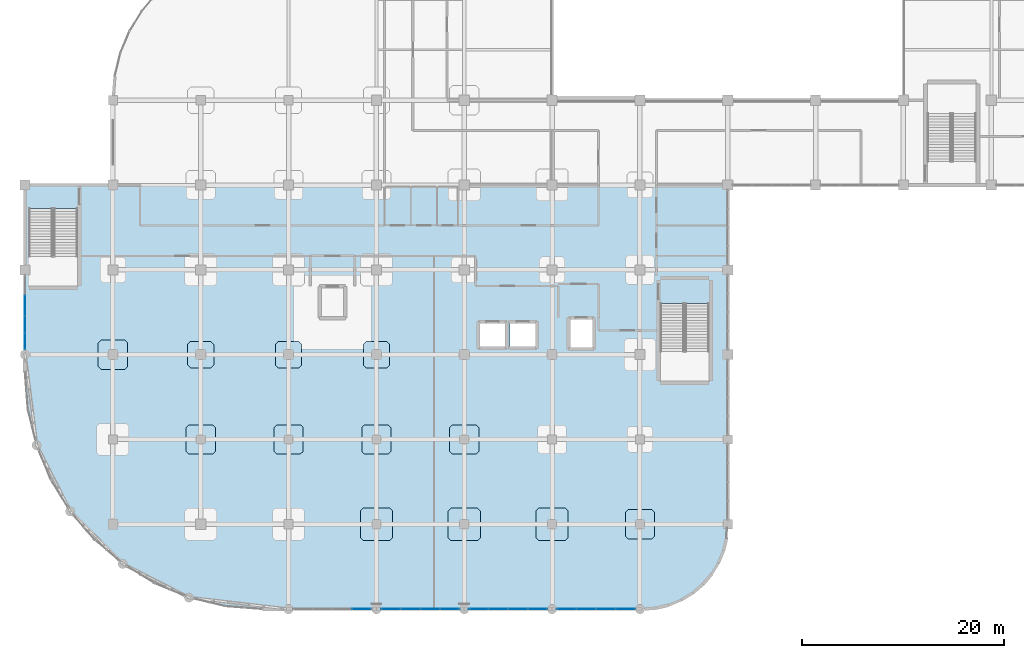
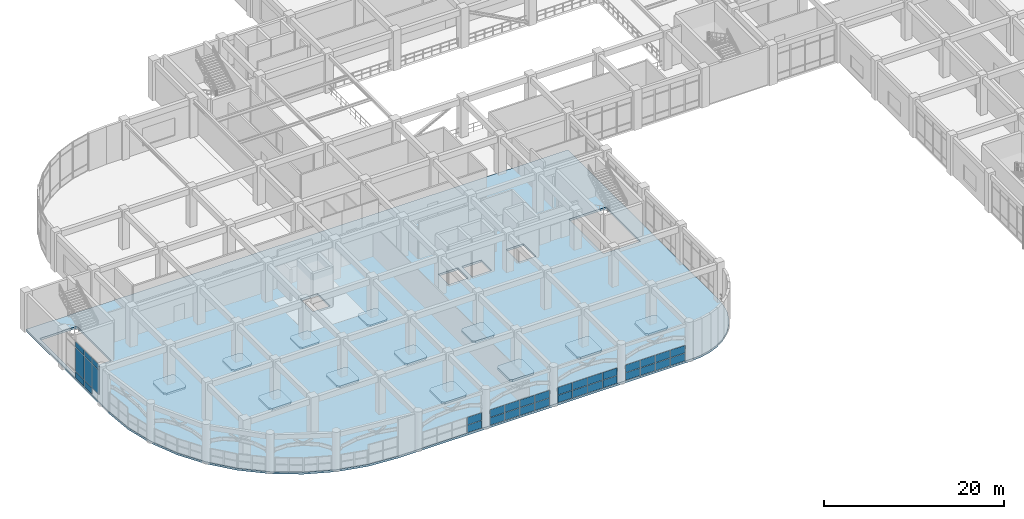
# One storey, part 80 of 114: 37 plates, 13 slabs, 6 elements without a shape of their own.
"""IFC4 building model written with IfcOpenShell, lengths in metres."""

import ifcopenshell
import ifcopenshell.guid

model = None  # the IFC model being written
_history = None  # IfcOwnerHistory: only IFC2X3 demands one
_inside = {}  # id of a spatial element -> (the spatial element, [elements in it])
_under = {}  # id of a project, library or spatial element -> (it, [spatial elements below it])
_declared = {}  # id of a project -> (the project, [libraries it declares])
_typed = {}  # id of a type object -> (the type object, [elements of that type])
_made_of = {}  # id of a material, layer set ... -> (it, [elements and type objects made of it])


def new_model(schema):
    """Start an empty IFC model of exactly this schema.

    Asked for "IFC4X3", IfcOpenShell would pick the latest addendum, in which some entities
    have other attributes; the version numbers below select the first issue.
    IFC2X3 requires an IfcOwnerHistory on every rooted entity: one is made here for all.
    """
    global model, _history
    if schema == "IFC4X3":
        model = ifcopenshell.file(schema_version=(4, 3, 0, 0))
    else:
        model = ifcopenshell.file(schema=schema)
    _inside.clear()
    _under.clear()
    _declared.clear()
    _typed.clear()
    _made_of.clear()
    _history = None
    if model.schema == "IFC2X3":
        org = make("IfcOrganization", Name="unknown")
        user = make(
            "IfcPersonAndOrganization",
            ThePerson=make("IfcPerson", FamilyName="unknown"),
            TheOrganization=org,
        )
        app = make(
            "IfcApplication",
            ApplicationDeveloper=org,
            Version="unknown",
            ApplicationFullName="unknown",
            ApplicationIdentifier="unknown",
        )
        _history = make(
            "IfcOwnerHistory",
            OwningUser=user,
            OwningApplication=app,
            ChangeAction="ADDED",
            CreationDate=0,
        )
    return model


def make(cls, **values):
    """One entity of the class cls with the attributes given. An attribute that is None is left unset."""
    return model.create_entity(
        cls, **{name: value for name, value in values.items() if value is not None}
    )


def rooted(cls, **values):
    """An entity with a GlobalId (a new one), such as an element, a storey or a relation."""
    return make(cls, GlobalId=ifcopenshell.guid.new(), OwnerHistory=_history, **values)


def si_unit(unit_type, name, prefix=None):
    """IfcSIUnit, for example si_unit("LENGTHUNIT", "METRE", prefix="MILLI")."""
    return make("IfcSIUnit", UnitType=unit_type, Prefix=prefix, Name=name)


def derived_unit(unit_type, elements):
    """IfcDerivedUnit: a product of units, each with its exponent."""
    return make(
        "IfcDerivedUnit",
        Elements=[
            make("IfcDerivedUnitElement", Unit=unit, Exponent=power)
            for unit, power in elements
        ],
        UnitType=unit_type,
    )


def assignment(units):
    """IfcUnitAssignment: the units of a project."""
    return None if units is None else make("IfcUnitAssignment", Units=units)


def point(xyz):
    """IfcCartesianPoint."""
    return None if xyz is None else make("IfcCartesianPoint", Coordinates=xyz)


def direction(xyz):
    """IfcDirection."""
    return None if xyz is None else make("IfcDirection", DirectionRatios=xyz)


def frame(location, z_axis=None, x_axis=None):
    """IfcAxis2Placement3D, a coordinate frame: its origin and axes. An axis left out is left unset."""
    return make(
        "IfcAxis2Placement3D",
        Location=point(location),
        Axis=direction(z_axis),
        RefDirection=direction(x_axis),
    )


def frame_2d(location, x_axis=None):
    """IfcAxis2Placement2D, a coordinate frame in the plane: its origin and x axis."""
    return make(
        "IfcAxis2Placement2D", Location=point(location), RefDirection=direction(x_axis)
    )


def origin():
    """The frame at (0, 0, 0) with its axes left unset."""
    return frame((0.0, 0.0, 0.0))


def origin_2d():
    """The frame at (0, 0) in the plane with its x axis left unset."""
    return frame_2d((0.0, 0.0))


def place(relative_to, where):
    """IfcLocalPlacement: puts the frame where relative to a parent placement (None: the world)."""
    return make(
        "IfcLocalPlacement", PlacementRelTo=relative_to, RelativePlacement=where
    )


def context(
    kind, dimensions, precision=None, world=None, true_north=None, identifier=None
):
    """IfcGeometricRepresentationContext, for example the 3D "Model" context."""
    return make(
        "IfcGeometricRepresentationContext",
        ContextIdentifier=identifier,
        ContextType=kind,
        CoordinateSpaceDimension=dimensions,
        Precision=precision,
        WorldCoordinateSystem=world,
        TrueNorth=true_north,
    )


def subcontext(parent, identifier, kind, view, scale=None):
    """IfcGeometricRepresentationSubContext, for example "Body" below "Model"."""
    return make(
        "IfcGeometricRepresentationSubContext",
        ContextIdentifier=identifier,
        ContextType=kind,
        ParentContext=parent,
        TargetScale=scale,
        TargetView=view,
    )


def project(units=None, contexts=None):
    """IfcProject with its units and contexts."""
    return rooted(
        "IfcProject",
        Name="project",
        RepresentationContexts=contexts,
        UnitsInContext=assignment(units),
    )


def spatial(cls, under=None, at=None, **own):
    """A site, building, storey or space (cls), placed at a placement, below another one or the project."""
    s = rooted(cls, ObjectPlacement=at, **own)
    if under is not None:
        _under.setdefault(under.id(), (under, []))[1].append(s)
    return s


def polyline(points):
    """IfcPolyline through the points."""
    return make("IfcPolyline", Points=[point(p) for p in points])


def profile(cls, at=None, kind="AREA", **sizes):
    """A parametric profile (cls). Its sizes go by their IFC names, for example OverallWidth=200.0."""
    return make(cls, ProfileType=kind, Position=at, **sizes)


def rectangle(**sizes):
    """IfcRectangleProfileDef."""
    return profile("IfcRectangleProfileDef", **sizes)


def outline(outer, holes=None, kind="AREA"):
    """IfcArbitraryClosedProfileDef: a profile drawn as a closed curve; with holes, ...WithVoids."""
    if holes is None:
        return make("IfcArbitraryClosedProfileDef", ProfileType=kind, OuterCurve=outer)
    return make(
        "IfcArbitraryProfileDefWithVoids",
        ProfileType=kind,
        OuterCurve=outer,
        InnerCurves=holes,
    )


def extrude(swept, where, along, depth):
    """IfcExtrudedAreaSolid: the profile swept, set in the frame where, extruded along a direction by depth."""
    return make(
        "IfcExtrudedAreaSolid",
        SweptArea=swept,
        Position=where,
        ExtrudedDirection=direction(along),
        Depth=depth,
    )


def shape(context_of_items, identifier, shape_type, items):
    """IfcShapeRepresentation: the items that make up one representation, for example the "Body"."""
    return make(
        "IfcShapeRepresentation",
        ContextOfItems=context_of_items,
        RepresentationIdentifier=identifier,
        RepresentationType=shape_type,
        Items=items,
    )


def material(Name=None, Category=None):
    """IfcMaterial."""
    return make("IfcMaterial", Name=Name, Category=Category)


def layer(
    of_material, thickness, ventilated=None, Name=None, Category=None, Priority=None
):
    """IfcMaterialLayer: one layer of a wall or slab, of a material (None: an air gap)."""
    return make(
        "IfcMaterialLayer",
        Material=of_material,
        LayerThickness=thickness,
        IsVentilated=ventilated,
        Name=Name,
        Category=Category,
        Priority=Priority,
    )


def layer_set(layers, Name=None):
    """IfcMaterialLayerSet."""
    return make("IfcMaterialLayerSet", MaterialLayers=layers, LayerSetName=Name)


def made_of(thing, what):
    """Note that an element or type object is made of a material, layer set ...; save() writes the relation."""
    if what is not None:
        _made_of.setdefault(what.id(), (what, []))[1].append(thing)
    return thing


def type_object(cls, material=None, **own):
    """A type object (cls), such as IfcWallType, which elements share."""
    return made_of(rooted(cls, **own), material)


def element(
    cls,
    number,
    at=None,
    inside=None,
    cuts=None,
    type_object=None,
    material=None,
    context=None,
    identifier="Body",
    shape_type=None,
    held_by="IfcProductDefinitionShape",
    body=None,
    shapes=None,
    **own,
):
    """One element of the class cls, such as IfcWall. Its Tag is "e" and its number.

    at: its placement. inside: the storey or other place that contains it. cuts: it is an
    opening in that element (IfcRelVoidsElement). A single representation is given by context,
    identifier, shape_type and body (its items); several are given by shapes. held_by: the class
    of the entity that holds the representations. save() writes the other relations.
    """
    e = rooted(cls, Tag="e%d" % number, ObjectPlacement=at, **own)
    if body is not None:
        shapes = [shape(context, identifier, shape_type, body)]
    if shapes is not None:
        e.Representation = make(held_by, Representations=shapes)
    if inside is not None:
        _inside.setdefault(inside.id(), (inside, []))[1].append(e)
    if cuts is not None:
        rooted(
            "IfcRelVoidsElement", RelatingBuildingElement=cuts, RelatedOpeningElement=e
        )
    if type_object is not None:
        _typed.setdefault(type_object.id(), (type_object, []))[1].append(e)
    return made_of(e, material)


def aggregate(whole, parts):
    """IfcRelAggregates: a whole, such as a stair, and the parts it consists of."""
    return rooted("IfcRelAggregates", RelatingObject=whole, RelatedObjects=parts)


def save(model, path):
    """Write the relations noted so far, then the file.

    IfcRelAggregates (storeys below a building ...), IfcRelContainedInSpatialStructure (elements
    in a storey), IfcRelDefinesByType, IfcRelAssociatesMaterial and IfcRelDeclares: one each for
    every whole, place, type object, material and project.
    """
    for whole, parts in _under.values():
        aggregate(whole, parts)
    for where, things in _inside.values():
        rooted(
            "IfcRelContainedInSpatialStructure",
            RelatedElements=things,
            RelatingStructure=where,
        )
    for kind, things in _typed.values():
        rooted("IfcRelDefinesByType", RelatedObjects=things, RelatingType=kind)
    for what, things in _made_of.values():
        rooted("IfcRelAssociatesMaterial", RelatedObjects=things, RelatingMaterial=what)
    for by, libraries in _declared.values():
        rooted("IfcRelDeclares", RelatingContext=by, RelatedDefinitions=libraries)
    model.write(path)


model = new_model("IFC4")

# Units and contexts
model_context = context("Model", 3, precision=1e-05, world=origin(), true_north=direction((0.0, 1.0)))
body_context = subcontext(model_context, "Body", "Model", "MODEL_VIEW")
ifc_project = project(units=[si_unit("LENGTHUNIT", "METRE"), si_unit("AREAUNIT", "SQUARE_METRE"), si_unit("VOLUMEUNIT", "CUBIC_METRE"), si_unit("PLANEANGLEUNIT", "RADIAN"), si_unit("MASSUNIT", "GRAM", prefix="KILO"), derived_unit("THERMALTRANSMITTANCEUNIT", [(si_unit("MASSUNIT", "GRAM", prefix="KILO"), 1), (si_unit("TIMEUNIT", "SECOND"), -3), (si_unit("THERMODYNAMICTEMPERATUREUNIT", "KELVIN"), -1)])], contexts=[model_context])

# Site, building, storey
site_placement = place(None, origin())
site = spatial("IfcSite", under=ifc_project, at=site_placement, CompositionType="ELEMENT")
building_placement = place(site_placement, origin())
building = spatial("IfcBuilding", under=site, at=building_placement, Name="Qinzheling Arcade Emporium", CompositionType="ELEMENT")
storey_placement = place(building_placement, frame((0.0, 0.0, 6.0)))
storey = spatial("IfcBuildingStorey", under=building, at=storey_placement, Name="L02", CompositionType="ELEMENT", Elevation=6.0)

# Slabs
ifc_material_1 = material(Name="Concrete C40", Category="concrete")
ifc_layer_1 = layer(ifc_material_1, 0.235107421875, Name="Concrete C40", Category="concrete")
ifc_layer_set_1 = layer_set([ifc_layer_1], Name="Concrete C40")
slab_type_1 = type_object("IfcSlabType", Name="Column Head Drop Panel 2600x2600x235 C40", PredefinedType="USERDEFINED", material=ifc_layer_set_1)
slab_1_placement = place(storey_placement, frame((0.0, 0.0, -0.514892578125)))
element("IfcSlab", 1, at=slab_1_placement, inside=storey, type_object=slab_type_1, Name="Column Drop Panel DP-L02-3-D", ObjectType="DROP_PANEL", PredefinedType="USERDEFINED", context=body_context, shape_type="SweptSolid", body=[
    extrude(outline(polyline([(16.3798828125, 23.89990234375), (18.419921875, 23.89990234375), (18.699951171875, 24.179931640625), (18.699951171875, 26.219970703125), (18.419921875, 26.5), (16.3798828125, 26.5), (16.10009765625, 26.219970703125), (16.10009765625, 24.179931640625), (16.3798828125, 23.89990234375)])), origin(), (0.0, 0.0, 1.0), 0.23486328125),
])
slab_2_placement = place(storey_placement, frame((0.0, 0.0, -0.514892578125)))
element("IfcSlab", 2, at=slab_2_placement, inside=storey, type_object=slab_type_1, Name="Column Drop Panel DP-L02-4-D", ObjectType="DROP_PANEL", PredefinedType="USERDEFINED", context=body_context, shape_type="SweptSolid", body=[
    extrude(outline(polyline([(25.080078125, 23.89990234375), (27.1201171875, 23.89990234375), (27.39990234375, 24.179931640625), (27.39990234375, 26.219970703125), (27.1201171875, 26.5), (25.080078125, 26.5), (24.800048828125, 26.219970703125), (24.800048828125, 24.179931640625), (25.080078125, 23.89990234375)])), origin(), (0.0, 0.0, 1.0), 0.23486328125),
])
slab_3_placement = place(storey_placement, frame((0.0, 0.0, -0.514892578125)))
element("IfcSlab", 3, at=slab_3_placement, inside=storey, type_object=slab_type_1, Name="Column Drop Panel DP-L02-5-D", ObjectType="DROP_PANEL", PredefinedType="USERDEFINED", context=body_context, shape_type="SweptSolid", body=[
    extrude(outline(polyline([(33.780029296875, 23.89990234375), (35.820068359375, 23.89990234375), (36.10009765625, 24.179931640625), (36.10009765625, 26.219970703125), (35.820068359375, 26.5), (33.780029296875, 26.5), (33.5, 26.219970703125), (33.5, 24.179931640625), (33.780029296875, 23.89990234375)])), origin(), (0.0, 0.0, 1.0), 0.23486328125),
])
ifc_layer_2 = layer(ifc_material_1, 0.27001953125, Name="Concrete C40", Category="concrete")
ifc_layer_set_2 = layer_set([ifc_layer_2], Name="Concrete C40")
slab_type_2 = type_object("IfcSlabType", Name="Column Head Drop Panel 2900x2900x270 C40", PredefinedType="USERDEFINED", material=ifc_layer_set_2)
slab_4_placement = place(storey_placement, frame((0.0, 0.0, -0.550048828125)))
element("IfcSlab", 4, at=slab_4_placement, inside=storey, type_object=slab_type_2, Name="Column Drop Panel DP-L02-2-D", ObjectType="DROP_PANEL", PredefinedType="USERDEFINED", context=body_context, shape_type="SweptSolid", body=[
    extrude(outline(polyline([(7.530029296875, 23.75), (9.8701171875, 23.75), (10.14990234375, 24.030029296875), (10.14990234375, 26.3701171875), (9.8701171875, 26.64990234375), (7.530029296875, 26.64990234375), (7.25, 26.3701171875), (7.25, 24.030029296875), (7.530029296875, 23.75)])), origin(), (0.0, 0.0, 1.0), 0.27001953125),
])
slab_5_placement = place(storey_placement, frame((0.0, 0.0, -0.550048828125)))
element("IfcSlab", 5, at=slab_5_placement, inside=storey, type_object=slab_type_2, Name="Column Drop Panel DP-L02-3-C", ObjectType="DROP_PANEL", PredefinedType="USERDEFINED", context=body_context, shape_type="SweptSolid", body=[
    extrude(outline(polyline([(16.22998046875, 15.35009765625), (18.570068359375, 15.35009765625), (18.85009765625, 15.6298828125), (18.85009765625, 17.969970703125), (18.570068359375, 18.25), (16.22998046875, 18.25), (15.949951171875, 17.969970703125), (15.949951171875, 15.6298828125), (16.22998046875, 15.35009765625)])), origin(), (0.0, 0.0, 1.0), 0.27001953125),
])
slab_6_placement = place(storey_placement, frame((0.0, 0.0, -0.550048828125)))
element("IfcSlab", 6, at=slab_6_placement, inside=storey, type_object=slab_type_2, Name="Column Drop Panel DP-L02-4-C", ObjectType="DROP_PANEL", PredefinedType="USERDEFINED", context=body_context, shape_type="SweptSolid", body=[
    extrude(outline(polyline([(24.929931640625, 15.35009765625), (27.27001953125, 15.35009765625), (27.550048828125, 15.6298828125), (27.550048828125, 17.969970703125), (27.27001953125, 18.25), (24.929931640625, 18.25), (24.64990234375, 17.969970703125), (24.64990234375, 15.6298828125), (24.929931640625, 15.35009765625)])), origin(), (0.0, 0.0, 1.0), 0.27001953125),
])
slab_7_placement = place(storey_placement, frame((0.0, 0.0, -0.550048828125)))
element("IfcSlab", 7, at=slab_7_placement, inside=storey, type_object=slab_type_2, Name="Column Drop Panel DP-L02-5-C", ObjectType="DROP_PANEL", PredefinedType="USERDEFINED", context=body_context, shape_type="SweptSolid", body=[
    extrude(outline(polyline([(33.6298828125, 15.35009765625), (35.969970703125, 15.35009765625), (36.25, 15.6298828125), (36.25, 17.969970703125), (35.969970703125, 18.25), (33.6298828125, 18.25), (33.35009765625, 17.969970703125), (33.35009765625, 15.6298828125), (33.6298828125, 15.35009765625)])), origin(), (0.0, 0.0, 1.0), 0.27001953125),
])
slab_8_placement = place(storey_placement, frame((0.0, 0.0, -0.550048828125)))
element("IfcSlab", 8, at=slab_8_placement, inside=storey, type_object=slab_type_2, Name="Column Drop Panel DP-L02-6-C", ObjectType="DROP_PANEL", PredefinedType="USERDEFINED", context=body_context, shape_type="SweptSolid", body=[
    extrude(outline(polyline([(42.330078125, 15.35009765625), (44.669921875, 15.35009765625), (44.949951171875, 15.6298828125), (44.949951171875, 17.969970703125), (44.669921875, 18.25), (42.330078125, 18.25), (42.050048828125, 17.969970703125), (42.050048828125, 15.6298828125), (42.330078125, 15.35009765625)])), origin(), (0.0, 0.0, 1.0), 0.27001953125),
])
slab_9_placement = place(storey_placement, frame((0.0, 0.0, -0.550048828125)))
element("IfcSlab", 9, at=slab_9_placement, inside=storey, type_object=slab_type_2, Name="Column Drop Panel DP-L02-8-B", ObjectType="DROP_PANEL", PredefinedType="USERDEFINED", context=body_context, shape_type="SweptSolid", body=[
    extrude(outline(polyline([(59.72998046875, 6.949951171875), (62.070068359375, 6.949951171875), (62.35009765625, 7.22998046875), (62.35009765625, 9.570068359375), (62.070068359375, 9.85009765625), (59.72998046875, 9.85009765625), (59.449951171875, 9.570068359375), (59.449951171875, 7.22998046875), (59.72998046875, 6.949951171875)])), origin(), (0.0, 0.0, 1.0), 0.27001953125),
])
ifc_layer_3 = layer(ifc_material_1, 0.300048828125, Name="Concrete C40", Category="concrete")
ifc_layer_set_3 = layer_set([ifc_layer_3], Name="Concrete C40")
slab_type_3 = type_object("IfcSlabType", Name="Column Head Drop Panel 3200x3200x300 C40", PredefinedType="USERDEFINED", material=ifc_layer_set_3)
slab_10_placement = place(storey_placement, frame((0.0, 0.0, -0.580078125)))
element("IfcSlab", 10, at=slab_10_placement, inside=storey, type_object=slab_type_3, Name="Column Drop Panel DP-L02-5-B", ObjectType="DROP_PANEL", PredefinedType="USERDEFINED", context=body_context, shape_type="SweptSolid", body=[
    extrude(outline(polyline([(33.47998046875, 6.800048828125), (36.1201171875, 6.800048828125), (36.39990234375, 7.080078125), (36.39990234375, 9.719970703125), (36.1201171875, 10.0), (33.47998046875, 10.0), (33.199951171875, 9.719970703125), (33.199951171875, 7.080078125), (33.47998046875, 6.800048828125)])), origin(), (0.0, 0.0, 1.0), 0.300048828125),
])
slab_11_placement = place(storey_placement, frame((0.0, 0.0, -0.580078125)))
element("IfcSlab", 11, at=slab_11_placement, inside=storey, type_object=slab_type_3, Name="Column Drop Panel DP-L02-6-B", ObjectType="DROP_PANEL", PredefinedType="USERDEFINED", context=body_context, shape_type="SweptSolid", body=[
    extrude(outline(polyline([(42.179931640625, 6.800048828125), (44.820068359375, 6.800048828125), (45.10009765625, 7.080078125), (45.10009765625, 9.719970703125), (44.820068359375, 10.0), (42.179931640625, 10.0), (41.89990234375, 9.719970703125), (41.89990234375, 7.080078125), (42.179931640625, 6.800048828125)])), origin(), (0.0, 0.0, 1.0), 0.300048828125),
])
slab_12_placement = place(storey_placement, frame((0.0, 0.0, -0.580078125)))
element("IfcSlab", 12, at=slab_12_placement, inside=storey, type_object=slab_type_3, Name="Column Drop Panel DP-L02-7-B", ObjectType="DROP_PANEL", PredefinedType="USERDEFINED", context=body_context, shape_type="SweptSolid", body=[
    extrude(outline(polyline([(50.8798828125, 6.800048828125), (53.52001953125, 6.800048828125), (53.800048828125, 7.080078125), (53.800048828125, 9.719970703125), (53.52001953125, 10.0), (50.8798828125, 10.0), (50.60009765625, 9.719970703125), (50.60009765625, 7.080078125), (50.8798828125, 6.800048828125)])), origin(), (0.0, 0.0, 1.0), 0.300048828125),
])

# Curtain wall, plates
ifc_material_2 = material(Name="Anodised aluminium and solar-control double glazing", Category="aluminium")
ifc_layer_4 = layer(ifc_material_2, 0.159912109375, Name="Anodised aluminium and solar-control double glazing", Category="aluminium")
ifc_layer_set_4 = layer_set([ifc_layer_4], Name="Anodised aluminium and solar-control double glazing")
curtain_wall_type = type_object("IfcCurtainWallType", Name="Arcade Portal Glazed Curtain Wall", PredefinedType="NOTDEFINED", material=ifc_layer_set_4)
curtain_wall_1_placement = place(storey_placement, origin())
curtain_wall_1 = element("IfcCurtainWall", 13, at=curtain_wall_1_placement, inside=storey, type_object=curtain_wall_type, Name="Curtain Wall CW-L02-083", PredefinedType="NOTDEFINED")
ifc_material_3 = material(Name="Laminated solar-control double glazing", Category="glass")
ifc_layer_5 = layer(ifc_material_3, 0.02587890625, Name="Laminated solar-control double glazing", Category="glass")
ifc_layer_set_5 = layer_set([ifc_layer_5], Name="Laminated solar-control double glazing")
plate_type_1 = type_object("IfcPlateType", Name="Low-E Double Glazed Curtain Panel 26mm", PredefinedType="CURTAIN_PANEL", material=ifc_layer_set_5)
plate_1_placement = place(storey_placement, frame((0.0, 26.522705078125, 0.97998046875), z_axis=(0.0, 0.0, 1.0), x_axis=(0.0, 1.0, 0.0)))
plate_1 = element("IfcPlate", 14, at=plate_1_placement, type_object=plate_type_1, Name="CW05 panel 1.2", PredefinedType="CURTAIN_PANEL", context=body_context, shape_type="SweptSolid", body=[
    extrude(rectangle(XDim=1.571533203125, YDim=0.02587890625, at=origin_2d()), origin(), (0.0, 0.0, 1.0), 3.22998046875),
])
plate_2_placement = place(storey_placement, frame((0.0, 26.522705078125, 4.27001953125), z_axis=(0.0, 0.0, 1.0), x_axis=(0.0, 1.0, 0.0)))
plate_2 = element("IfcPlate", 15, at=plate_2_placement, type_object=plate_type_1, Name="CW05 panel 1.3", PredefinedType="CURTAIN_PANEL", context=body_context, shape_type="SweptSolid", body=[
    extrude(rectangle(XDim=1.571533203125, YDim=0.02587890625, at=origin_2d()), origin(), (0.0, 0.0, 1.0), 0.760009765625),
])
plate_3_placement = place(storey_placement, frame((0.0, 28.154296875, 0.06005859375), z_axis=(0.0, 0.0, 1.0), x_axis=(0.0, 1.0, 0.0)))
plate_3 = element("IfcPlate", 16, at=plate_3_placement, type_object=plate_type_1, Name="CW05 panel 2.1", PredefinedType="CURTAIN_PANEL", context=body_context, shape_type="SweptSolid", body=[
    extrude(rectangle(XDim=1.571533203125, YDim=0.02587890625, at=origin_2d()), origin(), (0.0, 0.0, 1.0), 0.860107421875),
])
plate_4_placement = place(storey_placement, frame((0.0, 28.154296875, 0.97998046875), z_axis=(0.0, 0.0, 1.0), x_axis=(0.0, 1.0, 0.0)))
plate_4 = element("IfcPlate", 17, at=plate_4_placement, type_object=plate_type_1, Name="CW05 panel 2.2", PredefinedType="CURTAIN_PANEL", context=body_context, shape_type="SweptSolid", body=[
    extrude(rectangle(XDim=1.571533203125, YDim=0.02587890625, at=origin_2d()), origin(), (0.0, 0.0, 1.0), 3.22998046875),
])
plate_5_placement = place(storey_placement, frame((0.0, 28.154296875, 4.27001953125), z_axis=(0.0, 0.0, 1.0), x_axis=(0.0, 1.0, 0.0)))
plate_5 = element("IfcPlate", 18, at=plate_5_placement, type_object=plate_type_1, Name="CW05 panel 2.3", PredefinedType="CURTAIN_PANEL", context=body_context, shape_type="SweptSolid", body=[
    extrude(rectangle(XDim=1.571533203125, YDim=0.02587890625, at=origin_2d()), origin(), (0.0, 0.0, 1.0), 0.760009765625),
])
aggregate(curtain_wall_1, [plate_1, plate_2, plate_3, plate_4, plate_5])

curtain_wall_2_placement = place(storey_placement, origin())
curtain_wall_2 = element("IfcCurtainWall", 19, at=curtain_wall_2_placement, inside=storey, type_object=curtain_wall_type, Name="Curtain Wall CW-L02-084", PredefinedType="NOTDEFINED")
ifc_layer_6 = layer(ifc_material_3, 0.027099609375, Name="Laminated solar-control double glazing", Category="glass")
ifc_layer_set_6 = layer_set([ifc_layer_6], Name="Laminated solar-control double glazing")
plate_type_2 = type_object("IfcPlateType", Name="Low-E Double Glazed Curtain Panel 27mm", PredefinedType="CURTAIN_PANEL", material=ifc_layer_set_6)
plate_6_placement = place(storey_placement, frame((0.0, 30.03955078125, 0.06005859375), z_axis=(0.0, 0.0, 1.0), x_axis=(0.0, 1.0, 0.0)))
plate_6 = element("IfcPlate", 20, at=plate_6_placement, type_object=plate_type_2, Name="CW05 panel 1.1", PredefinedType="CURTAIN_PANEL", context=body_context, shape_type="SweptSolid", body=[
    extrude(rectangle(XDim=1.958984375, YDim=0.027099609375, at=origin_2d()), origin(), (0.0, 0.0, 1.0), 0.860107421875),
])
plate_7_placement = place(storey_placement, frame((0.0, 30.03955078125, 0.97998046875), z_axis=(0.0, 0.0, 1.0), x_axis=(0.0, 1.0, 0.0)))
plate_7 = element("IfcPlate", 21, at=plate_7_placement, type_object=plate_type_2, Name="CW05 panel 1.2", PredefinedType="CURTAIN_PANEL", context=body_context, shape_type="SweptSolid", body=[
    extrude(rectangle(XDim=1.958984375, YDim=0.027099609375, at=origin_2d()), origin(), (0.0, 0.0, 1.0), 3.22998046875),
])
plate_8_placement = place(storey_placement, frame((0.0, 30.03955078125, 4.27001953125), z_axis=(0.0, 0.0, 1.0), x_axis=(0.0, 1.0, 0.0)))
plate_8 = element("IfcPlate", 22, at=plate_8_placement, type_object=plate_type_2, Name="CW05 panel 1.3", PredefinedType="CURTAIN_PANEL", context=body_context, shape_type="SweptSolid", body=[
    extrude(rectangle(XDim=1.958984375, YDim=0.027099609375, at=origin_2d()), origin(), (0.0, 0.0, 1.0), 0.760009765625),
])
aggregate(curtain_wall_2, [plate_6, plate_7, plate_8])

curtain_wall_3_placement = place(storey_placement, origin())
curtain_wall_3 = element("IfcCurtainWall", 23, at=curtain_wall_3_placement, inside=storey, type_object=curtain_wall_type, Name="Curtain Wall CW-L02-069", PredefinedType="NOTDEFINED")
ifc_layer_7 = layer(ifc_material_3, 0.028076171875, Name="Laminated solar-control double glazing", Category="glass")
ifc_layer_set_7 = layer_set([ifc_layer_7], Name="Laminated solar-control double glazing")
plate_type_3 = type_object("IfcPlateType", Name="Low-E Double Glazed Curtain Panel 28mm", PredefinedType="CURTAIN_PANEL", material=ifc_layer_set_7)
plate_9_placement = place(storey_placement, frame((59.439697265625, 0.0, 0.06005859375), z_axis=(0.0, 0.0, 1.0), x_axis=(-1.0, 0.0, 0.0)))
plate_9 = element("IfcPlate", 24, at=plate_9_placement, type_object=plate_type_3, Name="CW05 panel 1.1", PredefinedType="CURTAIN_PANEL", context=body_context, shape_type="SweptSolid", body=[
    extrude(rectangle(XDim=1.846435546875, YDim=0.028076171875, at=origin_2d()), origin(), (0.0, 0.0, 1.0), 1.014892578125),
])
plate_10_placement = place(storey_placement, frame((59.439697265625, 0.0, 1.13525390625), z_axis=(0.0, 0.0, 1.0), x_axis=(-1.0, 0.0, 0.0)))
plate_10 = element("IfcPlate", 25, at=plate_10_placement, type_object=plate_type_3, Name="CW05 panel 1.2", PredefinedType="CURTAIN_PANEL", context=body_context, shape_type="SweptSolid", body=[
    extrude(rectangle(XDim=1.846435546875, YDim=0.028076171875, at=origin_2d()), origin(), (0.0, 0.0, 1.0), 1.014892578125),
])
plate_11_placement = place(storey_placement, frame((57.518310546875, 0.0, 0.06005859375), z_axis=(0.0, 0.0, 1.0), x_axis=(-1.0, 0.0, 0.0)))
plate_11 = element("IfcPlate", 26, at=plate_11_placement, type_object=plate_type_3, Name="CW05 panel 2.1", PredefinedType="CURTAIN_PANEL", context=body_context, shape_type="SweptSolid", body=[
    extrude(rectangle(XDim=1.87646484375, YDim=0.028076171875, at=origin_2d()), origin(), (0.0, 0.0, 1.0), 1.014892578125),
])
plate_12_placement = place(storey_placement, frame((57.518310546875, 0.0, 1.13525390625), z_axis=(0.0, 0.0, 1.0), x_axis=(-1.0, 0.0, 0.0)))
plate_12 = element("IfcPlate", 27, at=plate_12_placement, type_object=plate_type_3, Name="CW05 panel 2.2", PredefinedType="CURTAIN_PANEL", context=body_context, shape_type="SweptSolid", body=[
    extrude(rectangle(XDim=1.87646484375, YDim=0.028076171875, at=origin_2d()), origin(), (0.0, 0.0, 1.0), 1.014892578125),
])
plate_13_placement = place(storey_placement, frame((55.581787109375, 0.0, 0.06005859375), z_axis=(0.0, 0.0, 1.0), x_axis=(-1.0, 0.0, 0.0)))
plate_13 = element("IfcPlate", 28, at=plate_13_placement, type_object=plate_type_3, Name="CW05 panel 3.1", PredefinedType="CURTAIN_PANEL", context=body_context, shape_type="SweptSolid", body=[
    extrude(rectangle(XDim=1.87646484375, YDim=0.028076171875, at=origin_2d()), origin(), (0.0, 0.0, 1.0), 1.014892578125),
])
plate_14_placement = place(storey_placement, frame((55.581787109375, 0.0, 1.13525390625), z_axis=(0.0, 0.0, 1.0), x_axis=(-1.0, 0.0, 0.0)))
plate_14 = element("IfcPlate", 29, at=plate_14_placement, type_object=plate_type_3, Name="CW05 panel 3.2", PredefinedType="CURTAIN_PANEL", context=body_context, shape_type="SweptSolid", body=[
    extrude(rectangle(XDim=1.87646484375, YDim=0.028076171875, at=origin_2d()), origin(), (0.0, 0.0, 1.0), 1.014892578125),
])
plate_15_placement = place(storey_placement, frame((53.66015625, 0.0, 0.06005859375), z_axis=(0.0, 0.0, 1.0), x_axis=(-1.0, 0.0, 0.0)))
plate_15 = element("IfcPlate", 30, at=plate_15_placement, type_object=plate_type_3, Name="CW05 panel 4.1", PredefinedType="CURTAIN_PANEL", context=body_context, shape_type="SweptSolid", body=[
    extrude(rectangle(XDim=1.846435546875, YDim=0.028076171875, at=origin_2d()), origin(), (0.0, 0.0, 1.0), 1.014892578125),
])
plate_16_placement = place(storey_placement, frame((53.66015625, 0.0, 1.13525390625), z_axis=(0.0, 0.0, 1.0), x_axis=(-1.0, 0.0, 0.0)))
plate_16 = element("IfcPlate", 31, at=plate_16_placement, type_object=plate_type_3, Name="CW05 panel 4.2", PredefinedType="CURTAIN_PANEL", context=body_context, shape_type="SweptSolid", body=[
    extrude(rectangle(XDim=1.846435546875, YDim=0.028076171875, at=origin_2d()), origin(), (0.0, 0.0, 1.0), 1.014892578125),
])
aggregate(curtain_wall_3, [plate_9, plate_10, plate_11, plate_12, plate_13, plate_14, plate_15, plate_16])

curtain_wall_4_placement = place(storey_placement, origin())
curtain_wall_4 = element("IfcCurtainWall", 32, at=curtain_wall_4_placement, inside=storey, type_object=curtain_wall_type, Name="Curtain Wall CW-L02-070", PredefinedType="NOTDEFINED")
ifc_layer_8 = layer(ifc_material_3, 0.029052734375, Name="Laminated solar-control double glazing", Category="glass")
ifc_layer_set_8 = layer_set([ifc_layer_8], Name="Laminated solar-control double glazing")
plate_type_4 = type_object("IfcPlateType", Name="Low-E Double Glazed Curtain Panel 29mm", PredefinedType="CURTAIN_PANEL", material=ifc_layer_set_8)
plate_17_placement = place(storey_placement, frame((50.73974609375, 0.0, 0.06005859375), z_axis=(0.0, 0.0, 1.0), x_axis=(-1.0, 0.0, 0.0)))
plate_17 = element("IfcPlate", 33, at=plate_17_placement, type_object=plate_type_4, Name="CW05 panel 1.1", PredefinedType="CURTAIN_PANEL", context=body_context, shape_type="SweptSolid", body=[
    extrude(rectangle(XDim=1.846435546875, YDim=0.029052734375, at=origin_2d()), origin(), (0.0, 0.0, 1.0), 1.014892578125),
])
plate_18_placement = place(storey_placement, frame((50.73974609375, 0.0, 1.13525390625), z_axis=(0.0, 0.0, 1.0), x_axis=(-1.0, 0.0, 0.0)))
plate_18 = element("IfcPlate", 34, at=plate_18_placement, type_object=plate_type_4, Name="CW05 panel 1.2", PredefinedType="CURTAIN_PANEL", context=body_context, shape_type="SweptSolid", body=[
    extrude(rectangle(XDim=1.846435546875, YDim=0.029052734375, at=origin_2d()), origin(), (0.0, 0.0, 1.0), 1.014892578125),
])
plate_19_placement = place(storey_placement, frame((48.818359375, 0.0, 0.06005859375), z_axis=(0.0, 0.0, 1.0), x_axis=(-1.0, 0.0, 0.0)))
plate_19 = element("IfcPlate", 35, at=plate_19_placement, type_object=plate_type_4, Name="CW05 panel 2.1", PredefinedType="CURTAIN_PANEL", context=body_context, shape_type="SweptSolid", body=[
    extrude(rectangle(XDim=1.87646484375, YDim=0.029052734375, at=origin_2d()), origin(), (0.0, 0.0, 1.0), 1.014892578125),
])
plate_20_placement = place(storey_placement, frame((48.818359375, 0.0, 1.13525390625), z_axis=(0.0, 0.0, 1.0), x_axis=(-1.0, 0.0, 0.0)))
plate_20 = element("IfcPlate", 36, at=plate_20_placement, type_object=plate_type_4, Name="CW05 panel 2.2", PredefinedType="CURTAIN_PANEL", context=body_context, shape_type="SweptSolid", body=[
    extrude(rectangle(XDim=1.87646484375, YDim=0.029052734375, at=origin_2d()), origin(), (0.0, 0.0, 1.0), 1.014892578125),
])
plate_21_placement = place(storey_placement, frame((46.8818359375, 0.0, 0.06005859375), z_axis=(0.0, 0.0, 1.0), x_axis=(-1.0, 0.0, 0.0)))
plate_21 = element("IfcPlate", 37, at=plate_21_placement, type_object=plate_type_4, Name="CW05 panel 3.1", PredefinedType="CURTAIN_PANEL", context=body_context, shape_type="SweptSolid", body=[
    extrude(rectangle(XDim=1.87646484375, YDim=0.029052734375, at=origin_2d()), origin(), (0.0, 0.0, 1.0), 1.014892578125),
])
plate_22_placement = place(storey_placement, frame((46.8818359375, 0.0, 1.13525390625), z_axis=(0.0, 0.0, 1.0), x_axis=(-1.0, 0.0, 0.0)))
plate_22 = element("IfcPlate", 38, at=plate_22_placement, type_object=plate_type_4, Name="CW05 panel 3.2", PredefinedType="CURTAIN_PANEL", context=body_context, shape_type="SweptSolid", body=[
    extrude(rectangle(XDim=1.87646484375, YDim=0.029052734375, at=origin_2d()), origin(), (0.0, 0.0, 1.0), 1.014892578125),
])
plate_23_placement = place(storey_placement, frame((44.960205078125, 0.0, 0.06005859375), z_axis=(0.0, 0.0, 1.0), x_axis=(-1.0, 0.0, 0.0)))
plate_23 = element("IfcPlate", 39, at=plate_23_placement, type_object=plate_type_4, Name="CW05 panel 4.1", PredefinedType="CURTAIN_PANEL", context=body_context, shape_type="SweptSolid", body=[
    extrude(rectangle(XDim=1.846435546875, YDim=0.029052734375, at=origin_2d()), origin(), (0.0, 0.0, 1.0), 1.014892578125),
])
plate_24_placement = place(storey_placement, frame((44.960205078125, 0.0, 1.13525390625), z_axis=(0.0, 0.0, 1.0), x_axis=(-1.0, 0.0, 0.0)))
plate_24 = element("IfcPlate", 40, at=plate_24_placement, type_object=plate_type_4, Name="CW05 panel 4.2", PredefinedType="CURTAIN_PANEL", context=body_context, shape_type="SweptSolid", body=[
    extrude(rectangle(XDim=1.846435546875, YDim=0.029052734375, at=origin_2d()), origin(), (0.0, 0.0, 1.0), 1.014892578125),
])
aggregate(curtain_wall_4, [plate_17, plate_18, plate_19, plate_20, plate_21, plate_22, plate_23, plate_24])

curtain_wall_5_placement = place(storey_placement, origin())
curtain_wall_5 = element("IfcCurtainWall", 41, at=curtain_wall_5_placement, inside=storey, type_object=curtain_wall_type, Name="Curtain Wall CW-L02-071", PredefinedType="NOTDEFINED")
ifc_layer_9 = layer(ifc_material_3, 0.030029296875, Name="Laminated solar-control double glazing", Category="glass")
ifc_layer_set_9 = layer_set([ifc_layer_9], Name="Laminated solar-control double glazing")
plate_type_5 = type_object("IfcPlateType", Name="Low-E Double Glazed Curtain Panel 30mm", PredefinedType="CURTAIN_PANEL", material=ifc_layer_set_9)
plate_25_placement = place(storey_placement, frame((42.039794921875, 0.0, 0.06005859375), z_axis=(0.0, 0.0, 1.0), x_axis=(-1.0, 0.0, 0.0)))
plate_25 = element("IfcPlate", 42, at=plate_25_placement, type_object=plate_type_5, Name="CW05 panel 1.1", PredefinedType="CURTAIN_PANEL", context=body_context, shape_type="SweptSolid", body=[
    extrude(rectangle(XDim=1.846435546875, YDim=0.030029296875, at=origin_2d()), origin(), (0.0, 0.0, 1.0), 1.014892578125),
])
plate_26_placement = place(storey_placement, frame((42.039794921875, 0.0, 1.13525390625), z_axis=(0.0, 0.0, 1.0), x_axis=(-1.0, 0.0, 0.0)))
plate_26 = element("IfcPlate", 43, at=plate_26_placement, type_object=plate_type_5, Name="CW05 panel 1.2", PredefinedType="CURTAIN_PANEL", context=body_context, shape_type="SweptSolid", body=[
    extrude(rectangle(XDim=1.846435546875, YDim=0.030029296875, at=origin_2d()), origin(), (0.0, 0.0, 1.0), 1.014892578125),
])
plate_27_placement = place(storey_placement, frame((40.1181640625, 0.0, 0.06005859375), z_axis=(0.0, 0.0, 1.0), x_axis=(-1.0, 0.0, 0.0)))
plate_27 = element("IfcPlate", 44, at=plate_27_placement, type_object=plate_type_5, Name="CW05 panel 2.1", PredefinedType="CURTAIN_PANEL", context=body_context, shape_type="SweptSolid", body=[
    extrude(rectangle(XDim=1.87646484375, YDim=0.030029296875, at=origin_2d()), origin(), (0.0, 0.0, 1.0), 1.014892578125),
])
plate_28_placement = place(storey_placement, frame((40.1181640625, 0.0, 1.13525390625), z_axis=(0.0, 0.0, 1.0), x_axis=(-1.0, 0.0, 0.0)))
plate_28 = element("IfcPlate", 45, at=plate_28_placement, type_object=plate_type_5, Name="CW05 panel 2.2", PredefinedType="CURTAIN_PANEL", context=body_context, shape_type="SweptSolid", body=[
    extrude(rectangle(XDim=1.87646484375, YDim=0.030029296875, at=origin_2d()), origin(), (0.0, 0.0, 1.0), 1.014892578125),
])
plate_29_placement = place(storey_placement, frame((38.181640625, 0.0, 0.06005859375), z_axis=(0.0, 0.0, 1.0), x_axis=(-1.0, 0.0, 0.0)))
plate_29 = element("IfcPlate", 46, at=plate_29_placement, type_object=plate_type_5, Name="CW05 panel 3.1", PredefinedType="CURTAIN_PANEL", context=body_context, shape_type="SweptSolid", body=[
    extrude(rectangle(XDim=1.87646484375, YDim=0.030029296875, at=origin_2d()), origin(), (0.0, 0.0, 1.0), 1.014892578125),
])
plate_30_placement = place(storey_placement, frame((38.181640625, 0.0, 1.13525390625), z_axis=(0.0, 0.0, 1.0), x_axis=(-1.0, 0.0, 0.0)))
plate_30 = element("IfcPlate", 47, at=plate_30_placement, type_object=plate_type_5, Name="CW05 panel 3.2", PredefinedType="CURTAIN_PANEL", context=body_context, shape_type="SweptSolid", body=[
    extrude(rectangle(XDim=1.87646484375, YDim=0.030029296875, at=origin_2d()), origin(), (0.0, 0.0, 1.0), 1.014892578125),
])
plate_31_placement = place(storey_placement, frame((36.26025390625, 0.0, 0.06005859375), z_axis=(0.0, 0.0, 1.0), x_axis=(-1.0, 0.0, 0.0)))
plate_31 = element("IfcPlate", 48, at=plate_31_placement, type_object=plate_type_5, Name="CW05 panel 4.1", PredefinedType="CURTAIN_PANEL", context=body_context, shape_type="SweptSolid", body=[
    extrude(rectangle(XDim=1.846435546875, YDim=0.030029296875, at=origin_2d()), origin(), (0.0, 0.0, 1.0), 1.014892578125),
])
plate_32_placement = place(storey_placement, frame((36.26025390625, 0.0, 1.13525390625), z_axis=(0.0, 0.0, 1.0), x_axis=(-1.0, 0.0, 0.0)))
plate_32 = element("IfcPlate", 49, at=plate_32_placement, type_object=plate_type_5, Name="CW05 panel 4.2", PredefinedType="CURTAIN_PANEL", context=body_context, shape_type="SweptSolid", body=[
    extrude(rectangle(XDim=1.846435546875, YDim=0.030029296875, at=origin_2d()), origin(), (0.0, 0.0, 1.0), 1.014892578125),
])
aggregate(curtain_wall_5, [plate_25, plate_26, plate_27, plate_28, plate_29, plate_30, plate_31, plate_32])

curtain_wall_6_placement = place(storey_placement, origin())
curtain_wall_6 = element("IfcCurtainWall", 50, at=curtain_wall_6_placement, inside=storey, type_object=curtain_wall_type, Name="Curtain Wall CW-L02-072", PredefinedType="NOTDEFINED")
ifc_layer_10 = layer(ifc_material_3, 0.031005859375, Name="Laminated solar-control double glazing", Category="glass")
ifc_layer_set_10 = layer_set([ifc_layer_10], Name="Laminated solar-control double glazing")
plate_type_6 = type_object("IfcPlateType", Name="Low-E Double Glazed Curtain Panel 31mm", PredefinedType="CURTAIN_PANEL", material=ifc_layer_set_10)
plate_33_placement = place(storey_placement, frame((33.33984375, 0.0, 0.06005859375), z_axis=(0.0, 0.0, 1.0), x_axis=(-1.0, 0.0, 0.0)))
plate_33 = element("IfcPlate", 51, at=plate_33_placement, type_object=plate_type_6, Name="CW05 panel 1.1", PredefinedType="CURTAIN_PANEL", context=body_context, shape_type="SweptSolid", body=[
    extrude(rectangle(XDim=1.846435546875, YDim=0.031005859375, at=origin_2d()), origin(), (0.0, 0.0, 1.0), 1.014892578125),
])
plate_34_placement = place(storey_placement, frame((33.33984375, 0.0, 1.13525390625), z_axis=(0.0, 0.0, 1.0), x_axis=(-1.0, 0.0, 0.0)))
plate_34 = element("IfcPlate", 52, at=plate_34_placement, type_object=plate_type_6, Name="CW05 panel 1.2", PredefinedType="CURTAIN_PANEL", context=body_context, shape_type="SweptSolid", body=[
    extrude(rectangle(XDim=1.846435546875, YDim=0.031005859375, at=origin_2d()), origin(), (0.0, 0.0, 1.0), 1.014892578125),
])
aggregate(curtain_wall_6, [plate_33, plate_34])

# Slab
ifc_layer_11 = layer(ifc_material_1, 0.280029296875, Name="Concrete C40", Category="concrete")
ifc_layer_set_11 = layer_set([ifc_layer_11], Name="Concrete C40")
slab_type_4 = type_object("IfcSlabType", Name="Retail Two-Way Flat Slab 280 C40", PredefinedType="FLOOR", material=ifc_layer_set_11)
slab_13_placement = place(storey_placement, frame((0.0, 0.0, -0.280029296875)))
element("IfcSlab", 53, at=slab_13_placement, inside=storey, type_object=slab_type_4, Name="Floor Slab SLB-L02-V1", PredefinedType="FLOOR", context=body_context, shape_type="SweptSolid", body=[
    extrude(outline(polyline([(0.0, 29.0), (0.0, 23.5), (0.2890625, 19.823974609375), (1.14990234375, 16.238037109375), (2.56103515625, 12.8310546875), (4.488037109375, 9.68701171875), (6.883056640625, 6.883056640625), (9.68701171875, 4.488037109375), (12.8310546875, 2.56103515625), (16.238037109375, 1.14990234375), (19.823974609375, 0.2890625), (23.5, 0.0), (61.199951171875, 0.0), (62.513916015625, 0.10302734375), (63.7958984375, 0.410888671875), (65.013916015625, 0.916015625), (66.136962890625, 1.60400390625), (67.139892578125, 2.4599609375), (67.99609375, 3.462890625), (68.68408203125, 4.5859375), (69.18896484375, 5.803955078125), (69.4970703125, 7.0859375), (69.60009765625, 8.39990234375), (69.60009765625, 42.0), (26.10009765625, 42.0), (0.0, 42.0), (0.0, 29.0)]), holes=[polyline([(67.739990234375, 22.60009765625), (62.949951171875, 22.60009765625), (62.949951171875, 30.27490234375), (67.739990234375, 30.27490234375), (67.739990234375, 22.60009765625)]), polyline([(54.0, 25.89990234375), (54.0, 28.699951171875), (56.199951171875, 28.699951171875), (56.199951171875, 25.89990234375), (54.0, 25.89990234375)]), polyline([(50.550048828125, 26.0), (48.050048828125, 26.0), (48.050048828125, 28.300048828125), (50.550048828125, 28.300048828125), (50.550048828125, 26.0)]), polyline([(47.550048828125, 26.0), (45.050048828125, 26.0), (45.050048828125, 28.300048828125), (47.550048828125, 28.300048828125), (47.550048828125, 26.0)]), polyline([(29.35009765625, 29.0), (29.35009765625, 31.800048828125), (31.550048828125, 31.800048828125), (31.550048828125, 29.0), (29.35009765625, 29.0)]), polyline([(5.18994140625, 32.0), (0.39990234375, 32.0), (0.39990234375, 39.675048828125), (5.18994140625, 39.675048828125), (5.18994140625, 32.0)])]), origin(), (0.0, 0.0, 1.0), 0.280029296875),
])

# Plates
ifc_material_4 = material(Name="Perforated anodised aluminium sheet", Category="aluminium")
ifc_layer_12 = layer(ifc_material_4, 0.011962890625, Name="Perforated anodised aluminium sheet", Category="aluminium")
ifc_layer_set_12 = layer_set([ifc_layer_12], Name="Perforated anodised aluminium sheet")
plate_type_7 = type_object("IfcPlateType", Name="Typhoon Storm Louvre Blade 12mm", PredefinedType="SHEET", material=ifc_layer_set_12)
plate_35_placement = place(storey_placement, frame((56.550048828125, 0.0, 1.63525390625), z_axis=(0.0, 0.0, 1.0), x_axis=(-1.0, 0.0, 0.0)))
element("IfcPlate", 54, at=plate_35_placement, inside=storey, type_object=plate_type_7, Name="Storm Louvre PLT-SLV-L02-012", PredefinedType="SHEET", context=body_context, shape_type="SweptSolid", body=[
    extrude(rectangle(XDim=7.77587890625, YDim=0.011962890625, at=origin_2d()), origin(), (0.0, 0.0, 1.0), 0.449951171875),
])
ifc_layer_13 = layer(ifc_material_4, 0.014892578125, Name="Perforated anodised aluminium sheet", Category="aluminium")
ifc_layer_set_13 = layer_set([ifc_layer_13], Name="Perforated anodised aluminium sheet")
plate_type_8 = type_object("IfcPlateType", Name="Typhoon Storm Louvre Blade 15mm", PredefinedType="SHEET", material=ifc_layer_set_13)
plate_36_placement = place(storey_placement, frame((47.85009765625, 0.0, 1.63525390625), z_axis=(0.0, 0.0, 1.0), x_axis=(-1.0, 0.0, 0.0)))
element("IfcPlate", 55, at=plate_36_placement, inside=storey, type_object=plate_type_8, Name="Storm Louvre PLT-SLV-L02-013", PredefinedType="SHEET", context=body_context, shape_type="SweptSolid", body=[
    extrude(rectangle(XDim=7.77587890625, YDim=0.014892578125, at=origin_2d()), origin(), (0.0, 0.0, 1.0), 0.449951171875),
])
ifc_layer_14 = layer(ifc_material_4, 0.01806640625, Name="Perforated anodised aluminium sheet", Category="aluminium")
ifc_layer_set_14 = layer_set([ifc_layer_14], Name="Perforated anodised aluminium sheet")
plate_type_9 = type_object("IfcPlateType", Name="Typhoon Storm Louvre Blade 18mm", PredefinedType="SHEET", material=ifc_layer_set_14)
plate_37_placement = place(storey_placement, frame((39.14990234375, 0.0, 1.63525390625), z_axis=(0.0, 0.0, 1.0), x_axis=(-1.0, 0.0, 0.0)))
element("IfcPlate", 56, at=plate_37_placement, inside=storey, type_object=plate_type_9, Name="Storm Louvre PLT-SLV-L02-014", PredefinedType="SHEET", context=body_context, shape_type="SweptSolid", body=[
    extrude(rectangle(XDim=7.77587890625, YDim=0.01806640625, at=origin_2d()), origin(), (0.0, 0.0, 1.0), 0.449951171875),
])

save(model, "model.ifc")
